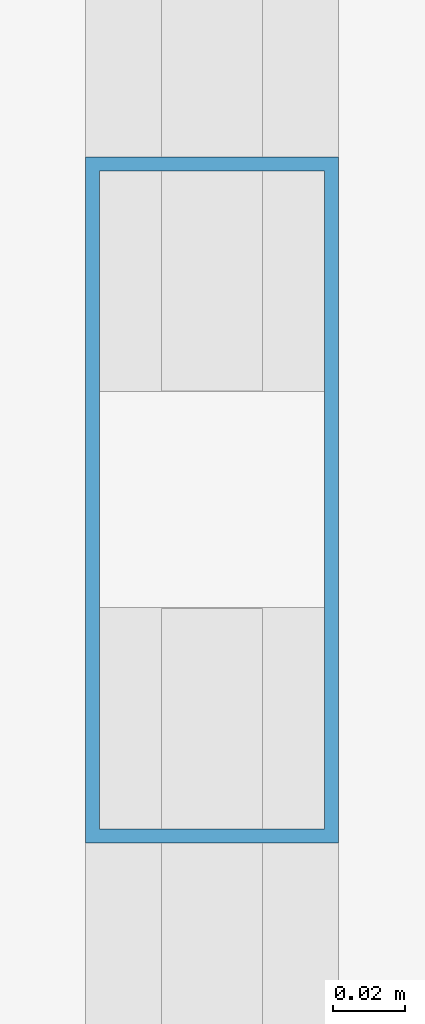
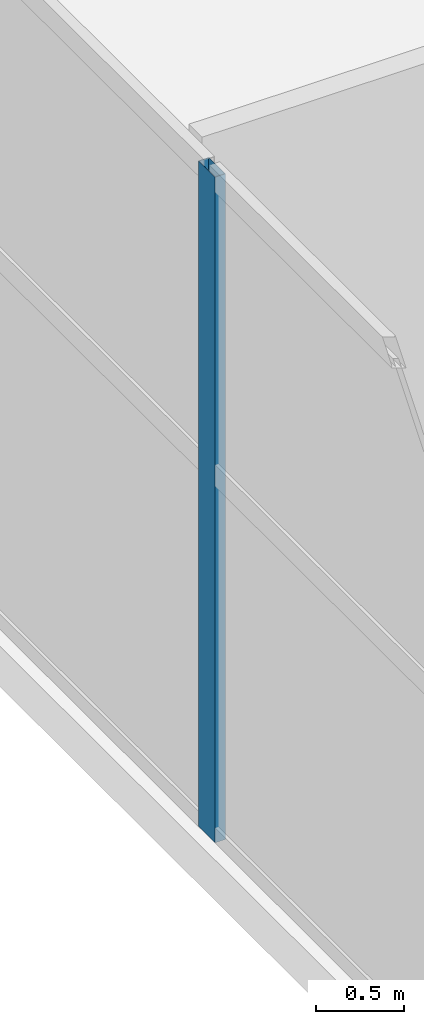
# One storey, part 4 of 39: 1 member, 1 element without a shape of its own.
"""IFC4 building model written with IfcOpenShell, lengths in metres."""

from ifc_helpers import new_model, si_unit, direction, frame, origin, origin_2d, place, context, subcontext, project, spatial, hollow_rectangle, extrude, material, layer, layer_set, material_profile, profile_set, type_object, element, aggregate, save


model = new_model("IFC4")

# Units and contexts
model_context = context("Model", 3, precision=1e-05, world=origin(), true_north=direction((0.0, 1.0)))
body_context = subcontext(model_context, "Body", "Model", "MODEL_VIEW")
ifc_project = project(units=[si_unit("LENGTHUNIT", "METRE"), si_unit("AREAUNIT", "SQUARE_METRE"), si_unit("VOLUMEUNIT", "CUBIC_METRE"), si_unit("PLANEANGLEUNIT", "RADIAN"), si_unit("MASSUNIT", "GRAM", prefix="KILO")], contexts=[model_context])

# Site, building, storey
site_placement = place(None, origin())
site = spatial("IfcSite", under=ifc_project, at=site_placement, CompositionType="ELEMENT")
building_placement = place(site_placement, origin())
building = spatial("IfcBuilding", under=site, at=building_placement, Name="Maruvema Waterfront Hotel and Observation Tower", CompositionType="ELEMENT")
storey_placement = place(building_placement, frame((0.0, 0.0, 16.449951171875)))
storey = spatial("IfcBuildingStorey", under=building, at=storey_placement, Name="L03", CompositionType="ELEMENT", Elevation=16.449951171875)

# Curtain wall, member
ifc_material_1 = material(Name="Anodised bronze aluminium and solar-control low-E IGU", Category="aluminium")
ifc_layer = layer(ifc_material_1, 0.159912109375, Name="Podium Waterfront Storefront Curtain Wall System CW-01")
ifc_layer_set = layer_set([ifc_layer], Name="Anodised bronze aluminium and solar-control low-E IGU")
curtain_wall_type = type_object("IfcCurtainWallType", Name="Podium Waterfront Storefront Curtain Wall System CW-01", PredefinedType="USERDEFINED", material=ifc_layer_set)
curtain_wall_placement = place(storey_placement, origin())
curtain_wall = element("IfcCurtainWall", 1, at=curtain_wall_placement, inside=storey, type_object=curtain_wall_type, Name="L03 Curtain Wall CW-L03-W", ObjectType="UNITISED CURTAIN WALL", PredefinedType="USERDEFINED")
ifc_material_2 = material(Name="Anodised architectural bronze aluminium", Category="aluminium")
ifc_material_profile = material_profile(ifc_material_2, hollow_rectangle(XDim=0.070068359375, YDim=0.18994140625, WallThickness=0.00390625, at=origin_2d()), Name="ALU-M70x190")
ifc_profile_set = profile_set([ifc_material_profile], Name="Anodised architectural bronze aluminium")
member_type = type_object("IfcMemberType", Name="Podium Storefront Heavy Mullion ALU-M70x190", PredefinedType="MULLION", material=ifc_profile_set)
member_placement = place(storey_placement, frame((0.1201171875, 14.639892578125, 0.0), z_axis=(0.0, 0.0, 1.0), x_axis=(1.0, 0.0, 0.0)))
member = element("IfcMember", 2, at=member_placement, type_object=member_type, Name="CW-01 mullion 5", PredefinedType="MULLION", context=body_context, shape_type="SweptSolid", body=[
    extrude(hollow_rectangle(XDim=0.070068359375, YDim=0.18994140625, WallThickness=0.00390625, at=origin_2d()), origin(), (0.0, 0.0, 1.0), 4.6201171875),
])
aggregate(curtain_wall, [member])

save(model, "model.ifc")
